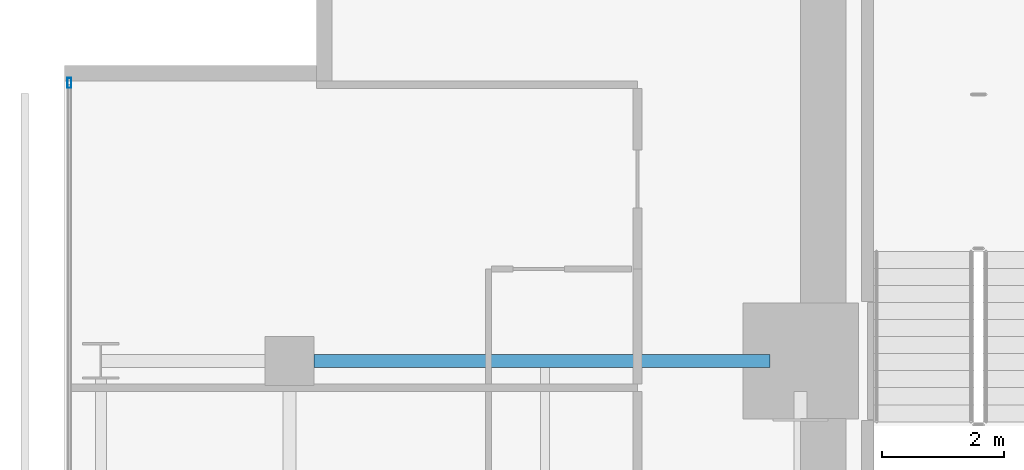
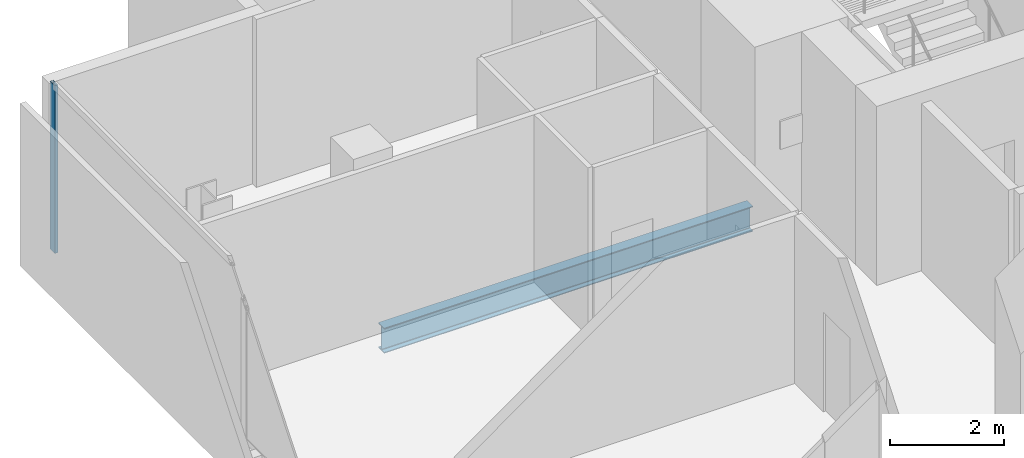
# One storey, part 20 of 34: 1 beam, 1 member, 1 element without a shape of its own.
"""IFC4 building model written with IfcOpenShell, lengths in metres."""

from ifc_helpers import new_model, si_unit, direction, frame, origin, origin_2d, place, context, subcontext, project, spatial, hollow_rectangle, i_section, extrude, material, layer, layer_set, material_profile, profile_set, type_object, element, aggregate, save


model = new_model("IFC4")

# Units and contexts
model_context = context("Model", 3, precision=1e-05, world=origin(), true_north=direction((0.0, 1.0)))
body_context = subcontext(model_context, "Body", "Model", "MODEL_VIEW")
ifc_project = project(units=[si_unit("LENGTHUNIT", "METRE"), si_unit("AREAUNIT", "SQUARE_METRE"), si_unit("VOLUMEUNIT", "CUBIC_METRE"), si_unit("PLANEANGLEUNIT", "RADIAN"), si_unit("MASSUNIT", "GRAM", prefix="KILO")], contexts=[model_context])

# Site, building, storey
site_placement = place(None, origin())
site = spatial("IfcSite", under=ifc_project, at=site_placement, CompositionType="ELEMENT")
building_placement = place(site_placement, origin())
building = spatial("IfcBuilding", under=site, at=building_placement, Name="Maruvema Waterfront Hotel and Observation Tower", CompositionType="ELEMENT")
storey_placement = place(building_placement, frame((0.0, 0.0, 212.10009765625)))
storey = spatial("IfcBuildingStorey", under=building, at=storey_placement, Name="L52", CompositionType="ELEMENT", Elevation=212.10009765625)

# Curtain wall, member
ifc_material_1 = material(Name="Anodised bronze aluminium and solar-control low-E IGU", Category="aluminium")
ifc_layer = layer(ifc_material_1, 0.159912109375, Name="Zone 2 Amber Inner Thermal Curtain Wall System CW-03")
ifc_layer_set = layer_set([ifc_layer], Name="Anodised bronze aluminium and solar-control low-E IGU")
curtain_wall_type = type_object("IfcCurtainWallType", Name="Zone 2 Amber Inner Thermal Curtain Wall System CW-03", PredefinedType="USERDEFINED", material=ifc_layer_set)
curtain_wall_placement = place(storey_placement, origin())
curtain_wall = element("IfcCurtainWall", 1, at=curtain_wall_placement, inside=storey, type_object=curtain_wall_type, Name="L52 Curtain Wall CW-L52-W", ObjectType="UNITISED CURTAIN WALL", PredefinedType="USERDEFINED")
ifc_material_2 = material(Name="Anodised architectural bronze aluminium", Category="aluminium")
ifc_material_profile_1 = material_profile(ifc_material_2, hollow_rectangle(XDim=0.06494140625, YDim=0.1650390625, WallThickness=0.00390625, at=origin_2d()), Name="ALU-M65x165")
ifc_profile_set_1 = profile_set([ifc_material_profile_1], Name="Anodised architectural bronze aluminium")
member_type = type_object("IfcMemberType", Name="Curtain Wall Primary Mullion ALU-M65x165", PredefinedType="MULLION", material=ifc_profile_set_1)
member_placement = place(storey_placement, frame((13.179931640625, 49.570068359375, 0.0), z_axis=(0.0, 0.0, 1.0), x_axis=(1.0, 0.0, 0.0)))
member = element("IfcMember", 2, at=member_placement, type_object=member_type, Name="CW-03 mullion 1", PredefinedType="MULLION", context=body_context, shape_type="SweptSolid", body=[
    extrude(hollow_rectangle(XDim=0.06494140625, YDim=0.1650390625, WallThickness=0.00390625, at=origin_2d()), origin(), (0.0, 0.0, 1.0), 3.60986328125),
])
aggregate(curtain_wall, [member])

# Beam
ifc_material_3 = material(Name="Steel ASTM A572 Grade 50", Category="steel")
ifc_material_profile_2 = material_profile(ifc_material_3, i_section(OverallWidth=0.2109375, OverallDepth=0.5390625, WebThickness=0.01171875, FlangeThickness=0.018798828125, FilletRadius=0.014892578125, at=origin_2d()), Name="W530x109.0")
ifc_profile_set_2 = profile_set([ifc_material_profile_2], Name="Steel ASTM A572 Grade 50")
beam_type = type_object("IfcBeamType", Name="Primary Floor Girder W530x109.0", PredefinedType="BEAM", material=ifc_profile_set_2)
beam_placement = place(storey_placement, frame((17.199951171875, 45.0, -0.509521484375), z_axis=(1.0, 0.0, 0.0), x_axis=(0.0, 1.0, 0.0)))
element("IfcBeam", 3, at=beam_placement, inside=storey, type_object=beam_type, Name="L52 Floor Girder EW-31", PredefinedType="BEAM", context=body_context, shape_type="SweptSolid", body=[
    extrude(i_section(OverallWidth=0.2109375, OverallDepth=0.5390625, WebThickness=0.01171875, FlangeThickness=0.018798828125, FilletRadius=0.014892578125, at=origin_2d()), origin(), (0.0, 0.0, 1.0), 7.5),
])

save(model, "model.ifc")
